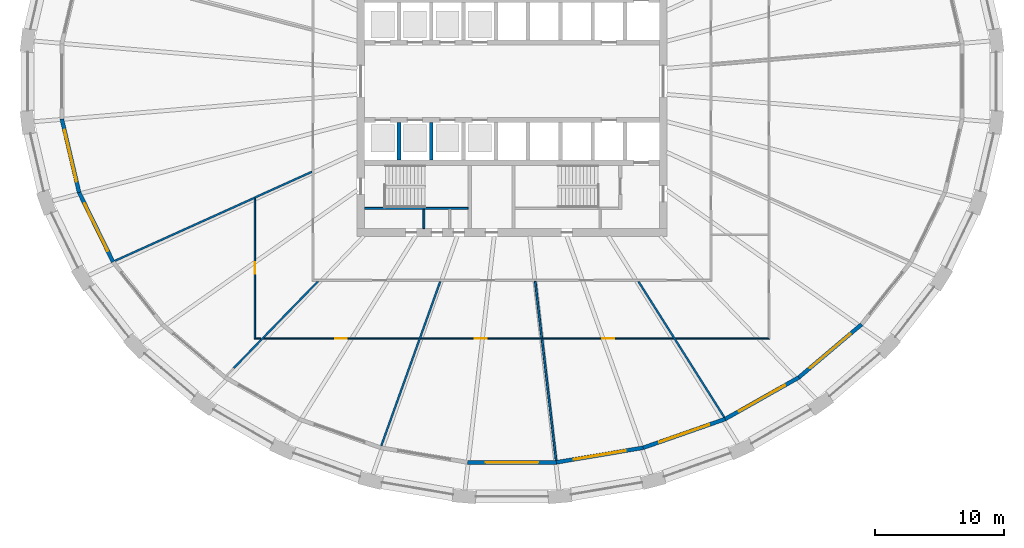
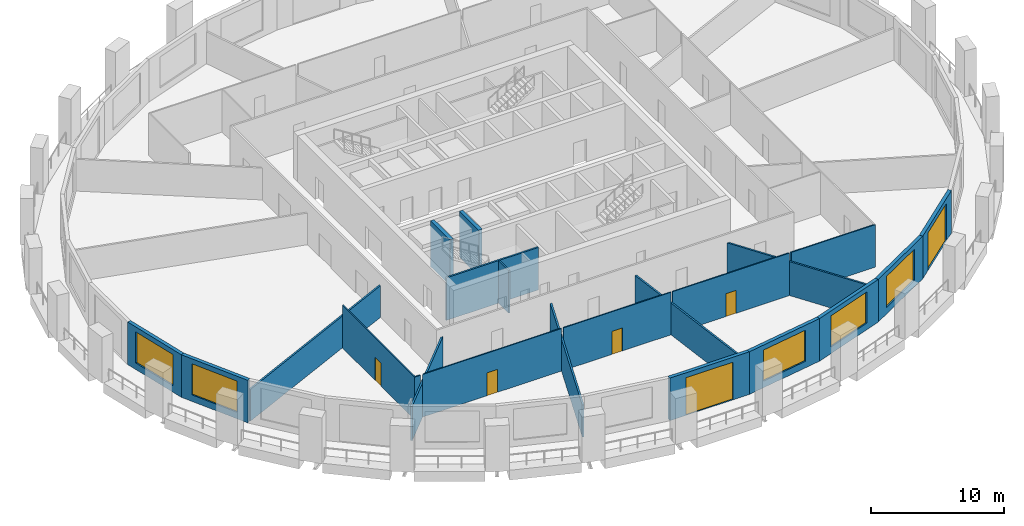
# One storey, part 3 of 11: 24 walls, 6 doors, 5 windows, 11 openings.
"""IFC4 building model written with IfcOpenShell, lengths in metres."""

from ifc_helpers import new_model, si_unit, direction, frame, frame_2d, origin, place, context, subcontext, project, spatial, polyline, rectangle, outline, extrude, material, layer, layer_set, type_object, element, fill, save


model = new_model("IFC4")

# Units and contexts
model_context = context("Model", 3, precision=1e-05, world=origin(), true_north=direction((0.0, 1.0)))
body_context = subcontext(model_context, "Body", "Model", "MODEL_VIEW")
ifc_project = project(units=[si_unit("LENGTHUNIT", "METRE"), si_unit("AREAUNIT", "SQUARE_METRE"), si_unit("VOLUMEUNIT", "CUBIC_METRE"), si_unit("PLANEANGLEUNIT", "RADIAN"), si_unit("MASSUNIT", "GRAM", prefix="KILO")], contexts=[model_context])

# Site, building, storey
site_placement = place(None, origin())
site = spatial("IfcSite", under=ifc_project, at=site_placement, CompositionType="ELEMENT")
building_placement = place(site_placement, origin())
building = spatial("IfcBuilding", under=site, at=building_placement, Name="Halqa Exchange Tower", CompositionType="ELEMENT")
storey_placement = place(building_placement, frame((0.0, 0.0, 40.300048828125)))
storey = spatial("IfcBuildingStorey", under=building, at=storey_placement, Name="L08", CompositionType="ELEMENT", Elevation=40.300048828125)

# Walls
ifc_material_1 = material(Name="Fire-rated gypsum board")
ifc_layer_1 = layer(ifc_material_1, 0.14990234375)
ifc_layer_set_1 = layer_set([ifc_layer_1], Name="Fire-rated gypsum board")
wall_type_1 = type_object("IfcWallType", Name="Fire partition EI 60 150", PredefinedType="PARTITIONING", material=ifc_layer_set_1)
wall_1_placement = place(storey_placement, frame((-30.744384765625, -13.8955078125, 0.0), z_axis=(0.0, 0.0, 1.0), x_axis=(0.91143189519, 0.411450969654, 0.0)))
element("IfcWall", 1, at=wall_1_placement, inside=storey, type_object=wall_type_1, Name="L08-PWL-001", PredefinedType="PARTITIONING", context=body_context, shape_type="SweptSolid", body=[
    extrude(outline(polyline([(0.0205078125, -0.074951171875), (1.9853515625, -0.074951171875), (3.9501953125, -0.074951171875), (5.9150390625, -0.074951171875), (7.8798828125, -0.074951171875), (9.8447265625, -0.074951171875), (11.8095703125, -0.074951171875), (11.810546875, -0.07275390625), (11.815185546875, -0.074951171875), (11.90234375, -0.074951171875), (11.90234375, -0.06591796875), (11.90234375, -0.06591796875), (11.90234375, 0.0615234375), (11.90234375, 0.074951171875), (9.918701171875, 0.074951171875), (7.934814453125, 0.074951171875), (5.951171875, 0.074951171875), (3.967529296875, 0.074951171875), (1.983642578125, 0.074951171875), (0.0, 0.074951171875), (0.0, 0.066162109375), (0.002197265625, -0.00146484375), (0.0205078125, -0.074951171875)])), origin(), (0.0, 0.0, 1.0), 2.909912109375),
])
wall_2_placement = place(storey_placement, frame((-19.89990234375, -8.989990234375, 0.0), z_axis=(0.0, 0.0, 1.0), x_axis=(0.911546381607, 0.411197269178, 0.0)))
element("IfcWall", 2, at=wall_2_placement, inside=storey, type_object=wall_type_1, Name="L08-PWL-005", PredefinedType="PARTITIONING", context=body_context, shape_type="SweptSolid", body=[
    extrude(outline(polyline([(0.020263671875, -0.074951171875), (1.620361328125, -0.074951171875), (3.220458984375, -0.074951171875), (4.820556640625, -0.074951171875), (4.88818359375, 0.074951171875), (3.2587890625, 0.074951171875), (1.62939453125, 0.074951171875), (0.0, 0.074951171875), (0.0, -0.06591796875), (0.020263671875, -0.074951171875)])), origin(), (0.0, 0.0, 1.0), 2.909912109375),
])
wall_3_placement = place(storey_placement, frame((-10.119384765625, -28.209228515625, 0.0), z_axis=(0.0, 0.0, 1.0), x_axis=(0.337949016046, 0.941164418448, 0.0)))
element("IfcWall", 3, at=wall_3_placement, inside=storey, type_object=wall_type_1, Name="L08-PWL-014", PredefinedType="PARTITIONING", context=body_context, shape_type="SweptSolid", body=[
    extrude(outline(polyline([(0.013916015625, -0.074951171875), (1.791748046875, -0.074951171875), (3.569580078125, -0.074951171875), (5.347412109375, -0.074951171875), (7.12548828125, -0.074951171875), (8.9033203125, -0.074951171875), (8.908203125, -0.0732421875), (8.90869140625, -0.074951171875), (10.4580078125, -0.074951171875), (12.007568359375, -0.074951171875), (13.556884765625, -0.074951171875), (13.556884765625, -0.073974609375), (13.554931640625, -0.068603515625), (13.554931640625, -0.068603515625), (13.50341796875, 0.074951171875), (11.919189453125, 0.074951171875), (10.335205078125, 0.074951171875), (8.751220703125, 0.074951171875), (8.7490234375, 0.07421875), (8.74853515625, 0.074951171875), (6.9990234375, 0.074951171875), (5.249267578125, 0.074951171875), (3.49951171875, 0.074951171875), (1.749755859375, 0.074951171875), (0.0, 0.074951171875), (0.0, 0.070556640625), (0.00048828125, -0.00048828125), (0.013916015625, -0.074951171875)])), origin(), (0.0, 0.0, 1.0), 2.909912109375),
])
wall_4_placement = place(storey_placement, frame((1.797607421875, -15.466552734375, 0.0), z_axis=(0.0, 0.0, 1.0), x_axis=(0.114783679138, -0.993390510828, 0.0)))
element("IfcWall", 4, at=wall_4_placement, inside=storey, type_object=wall_type_1, Name="L08-PWL-018", PredefinedType="PARTITIONING", context=body_context, shape_type="SweptSolid", body=[
    extrude(outline(polyline([(0.0, -0.074951171875), (1.468017578125, -0.074951171875), (2.93603515625, -0.074951171875), (4.404052734375, -0.074951171875), (4.404052734375, -0.07470703125), (4.406982421875, -0.074951171875), (4.413330078125, -0.074951171875), (4.413330078125, 0.074951171875), (2.947998046875, 0.074951171875), (1.482666015625, 0.074951171875), (0.01708984375, 0.074951171875), (0.0, -0.073486328125), (0.0, -0.074951171875)])), origin(), (0.0, 0.0, 1.0), 2.909912109375),
])
wall_5_placement = place(storey_placement, frame((2.314208984375, -19.850341796875, 0.0), z_axis=(0.0, 0.0, 1.0), x_axis=(0.115247328534, -0.9933368277, 0.0)))
element("IfcWall", 5, at=wall_5_placement, inside=storey, type_object=wall_type_1, Name="L08-PWL-020", PredefinedType="PARTITIONING", context=body_context, shape_type="SweptSolid", body=[
    extrude(outline(polyline([(0.0888671875, -0.074951171875), (1.979248046875, -0.074951171875), (3.86962890625, -0.074951171875), (5.760009765625, -0.074951171875), (7.650390625, -0.074951171875), (9.540771484375, -0.074951171875), (9.545654296875, -0.033935546875), (9.545654296875, 0.074951171875), (7.658447265625, 0.074951171875), (5.77099609375, 0.074951171875), (3.8837890625, 0.074951171875), (1.996337890625, 0.074951171875), (0.109130859375, 0.074951171875), (0.10888671875, 0.07373046875), (0.098388671875, 0.074951171875), (0.0, 0.074951171875), (0.0, -0.064697265625), (0.0888671875, -0.074951171875)])), origin(), (0.0, 0.0, 1.0), 2.909912109375),
])
wall_6_placement = place(storey_placement, frame((9.752197265625, -15.43505859375, 0.0), z_axis=(0.0, 0.0, 1.0), x_axis=(0.534413972524, -0.845222873549, 0.0)))
element("IfcWall", 6, at=wall_6_placement, inside=storey, type_object=wall_type_1, Name="L08-PWL-023", PredefinedType="PARTITIONING", context=body_context, shape_type="SweptSolid", body=[
    extrude(outline(polyline([(0.0, -0.074951171875), (1.725341796875, -0.074951171875), (3.45068359375, -0.074951171875), (5.176025390625, -0.074951171875), (5.17724609375, -0.07275390625), (5.1806640625, -0.074951171875), (7.00537109375, -0.074951171875), (8.830322265625, -0.074951171875), (10.655029296875, -0.074951171875), (12.479736328125, -0.074951171875), (12.497314453125, 0.001220703125), (12.50048828125, 0.064208984375), (12.50048828125, 0.074951171875), (10.72265625, 0.074951171875), (8.94482421875, 0.074951171875), (7.1669921875, 0.074951171875), (5.38916015625, 0.074951171875), (5.387451171875, 0.072265625), (5.38330078125, 0.074951171875), (3.620361328125, 0.074951171875), (1.857666015625, 0.074951171875), (0.0947265625, 0.074951171875), (0.0, -0.07470703125), (0.0, -0.074951171875)])), origin(), (0.0, 0.0, 1.0), 3.10986328125),
])
wall_7_placement = place(storey_placement, frame((-21.532470703125, -22.18896484375, 0.0), z_axis=(0.0, 0.0, 1.0), x_axis=(0.696649821167, 0.717411337148, 0.0)))
element("IfcWall", 7, at=wall_7_placement, inside=storey, type_object=wall_type_1, Name="L08-PWL-041", PredefinedType="PARTITIONING", context=body_context, shape_type="SweptSolid", body=[
    extrude(outline(polyline([(0.0, -0.074951171875), (1.6640625, -0.074951171875), (3.328369140625, -0.074951171875), (3.330810546875, -0.072509765625), (3.3330078125, -0.074951171875), (4.857421875, -0.074951171875), (6.382080078125, -0.074951171875), (7.906494140625, -0.074951171875), (9.430908203125, -0.074951171875), (9.430908203125, -0.074462890625), (9.338134765625, 0.02099609375), (9.338134765625, 0.02099609375), (9.285888671875, 0.074951171875), (7.727294921875, 0.074951171875), (6.1689453125, 0.074951171875), (4.610595703125, 0.074951171875), (3.052001953125, 0.074951171875), (3.050048828125, 0.072998046875), (3.048095703125, 0.074951171875), (1.524169921875, 0.074951171875), (0.0, 0.074951171875), (0.0, -0.074951171875)])), origin(), (0.0, 0.0, 1.0), 3.14697265625),
])

# Wall, opening, door
ifc_material_2 = material(Name="Gypsum board")
ifc_layer_2 = layer(ifc_material_2, 0.10009765625)
ifc_layer_set_2 = layer_set([ifc_layer_2], Name="Gypsum board")
wall_type_2 = type_object("IfcWallType", Name="Partition 100 gypsum", PredefinedType="PARTITIONING", material=ifc_layer_set_2)
wall_8_placement = place(storey_placement, frame((-19.89990234375, -19.949951171875, 0.0), z_axis=(0.0, 0.0, 1.0), x_axis=(0.0, 1.0, 0.0)))
wall_8 = element("IfcWall", 8, at=wall_8_placement, inside=storey, type_object=wall_type_2, Name="L08-PWL-004", PredefinedType="PARTITIONING", context=body_context, shape_type="SweptSolid", body=[
    extrude(outline(polyline([(10.89990234375, -0.050048828125), (10.89990234375, -0.04931640625), (10.8916015625, -0.03076171875), (10.88330078125, -0.034423828125), (10.84521484375, 0.050048828125), (9.03759765625, 0.050048828125), (7.22998046875, 0.050048828125), (5.422607421875, 0.050048828125), (3.614990234375, 0.050048828125), (1.8076171875, 0.050048828125), (0.0, 0.050048828125), (0.099853515625, -0.0498046875), (0.10009765625, -0.050048828125), (1.900146484375, -0.050048828125), (3.699951171875, -0.050048828125), (5.5, -0.050048828125), (7.300048828125, -0.050048828125), (9.099853515625, -0.050048828125), (10.89990234375, -0.050048828125)])), origin(), (0.0, 0.0, 1.0), 3.89990234375),
])
opening_1_placement = place(wall_8_placement, frame((5.050048828125, 0.0, 0.0)))
opening_1 = element("IfcOpeningElement", 9, at=opening_1_placement, cuts=wall_8, Name="Opening 02-18", PredefinedType="OPENING", context=body_context, shape_type="SweptSolid", body=[
    extrude(rectangle(XDim=0.89990234375, YDim=2.10009765625, at=frame_2d((0.449951171875, 1.050048828125))), frame((0.0, 0.06201171875, 0.0), z_axis=(0.0, -1.0, 0.0), x_axis=(1.0, 0.0, 0.0)), (0.0, 0.0, 1.0), 0.1240234375),
])
ifc_material_3 = material(Name="Timber door leaf", Category="wood")
door_type_1 = type_object("IfcDoorType", Name="Door 900 x 2100", OperationType="SINGLE_SWING_LEFT", PredefinedType="DOOR", material=ifc_material_3)
door_1_placement = place(opening_1_placement, frame((0.89990234375, 0.0, 0.0), z_axis=(0.0, 0.0, 1.0), x_axis=(-1.0, 0.0, 0.0)))
door_1 = element("IfcDoor", 10, at=door_1_placement, inside=storey, type_object=door_type_1, Name="L08-IDR-018", OperationType="SINGLE_SWING_LEFT", OverallHeight=2.10009765625, OverallWidth=0.89990234375, PredefinedType="DOOR", context=body_context, shape_type="SweptSolid", body=[
    extrude(rectangle(XDim=0.89990234375, YDim=2.10009765625, at=frame_2d((0.449951171875, 1.050048828125))), frame((0.0, 0.02490234375, 0.0), z_axis=(0.0, -1.0, 0.0), x_axis=(1.0, 0.0, 0.0)), (0.0, 0.0, 1.0), 0.050048828125),
])
fill(opening_1, door_1)

# Wall
wall_9_placement = place(storey_placement, frame((-19.4599609375, -19.89990234375, 0.0), z_axis=(0.0, 0.0, 1.0), x_axis=(-1.0, 0.0, 0.0)))
element("IfcWall", 11, at=wall_9_placement, inside=storey, type_object=wall_type_2, Name="L08-PWL-008", PredefinedType="PARTITIONING", context=body_context, shape_type="SweptSolid", body=[
    extrude(outline(polyline([(0.0, -0.050048828125), (0.389892578125, -0.050048828125), (0.489990234375, 0.050048828125), (0.0, 0.050048828125), (0.0, -0.050048828125)])), origin(), (0.0, 0.0, 1.0), 3.89990234375),
])

# Wall, opening, door
wall_10_placement = place(storey_placement, frame((-7.197998046875, -19.89990234375, 0.0), z_axis=(0.0, 0.0, 1.0), x_axis=(-1.0, 0.0, 0.0)))
wall_10 = element("IfcWall", 12, at=wall_10_placement, inside=storey, type_object=wall_type_2, Name="L08-PWL-016", PredefinedType="PARTITIONING", context=body_context, shape_type="SweptSolid", body=[
    extrude(outline(polyline([(0.0, -0.050048828125), (1.9931640625, -0.050048828125), (3.986083984375, -0.050048828125), (5.979248046875, -0.050048828125), (7.972412109375, -0.050048828125), (9.96533203125, -0.050048828125), (11.95849609375, -0.050048828125), (12.055419921875, 0.0498046875), (12.055419921875, 0.050048828125), (10.33837890625, 0.050048828125), (8.62109375, 0.050048828125), (6.904052734375, 0.050048828125), (5.186767578125, 0.050048828125), (3.4697265625, 0.050048828125), (1.752685546875, 0.050048828125), (0.035400390625, 0.050048828125), (0.0, -0.048583984375), (0.0, -0.050048828125)])), origin(), (0.0, 0.0, 1.0), 3.89990234375),
])
opening_2_placement = place(wall_10_placement, frame((5.576904296875, 0.0, 0.0)))
opening_2 = element("IfcOpeningElement", 13, at=opening_2_placement, cuts=wall_10, Name="Opening 02-19", PredefinedType="OPENING", context=body_context, shape_type="SweptSolid", body=[
    extrude(rectangle(XDim=0.89990234375, YDim=2.10009765625, at=frame_2d((0.449951171875, 1.050048828125))), frame((0.0, 0.06201171875, 0.0), z_axis=(0.0, -1.0, 0.0), x_axis=(1.0, 0.0, 0.0)), (0.0, 0.0, 1.0), 0.1240234375),
])
door_2_placement = place(opening_2_placement, frame((0.89990234375, 0.0, 0.0), z_axis=(0.0, 0.0, 1.0), x_axis=(-1.0, 0.0, 0.0)))
door_2 = element("IfcDoor", 14, at=door_2_placement, inside=storey, type_object=door_type_1, Name="L08-IDR-019", OperationType="SINGLE_SWING_LEFT", OverallHeight=2.10009765625, OverallWidth=0.89990234375, PredefinedType="DOOR", context=body_context, shape_type="SweptSolid", body=[
    extrude(rectangle(XDim=0.89990234375, YDim=2.10009765625, at=frame_2d((0.449951171875, 1.050048828125))), frame((0.0, 0.02490234375, 0.0), z_axis=(0.0, -1.0, 0.0), x_axis=(1.0, 0.0, 0.0)), (0.0, 0.0, 1.0), 0.050048828125),
])
fill(opening_2, door_2)

wall_11_placement = place(storey_placement, frame((2.25, -19.89990234375, 0.0), z_axis=(0.0, 0.0, 1.0), x_axis=(-1.0, 0.0, 0.0)))
wall_11 = element("IfcWall", 15, at=wall_11_placement, inside=storey, type_object=wall_type_2, Name="L08-PWL-019", PredefinedType="PARTITIONING", context=body_context, shape_type="SweptSolid", body=[
    extrude(outline(polyline([(0.021240234375, -0.050048828125), (1.874755859375, -0.050048828125), (3.72802734375, -0.050048828125), (5.581298828125, -0.050048828125), (7.434814453125, -0.050048828125), (9.2880859375, -0.050048828125), (9.323974609375, 0.050048828125), (9.323974609375, 0.050048828125), (7.459228515625, 0.050048828125), (5.594482421875, 0.050048828125), (3.7294921875, 0.050048828125), (1.86474609375, 0.050048828125), (0.0, 0.050048828125), (0.0, 0.04736328125), (0.01025390625, -0.041015625), (0.0, -0.0419921875), (0.0, -0.042724609375), (0.020263671875, -0.04052734375), (0.021240234375, -0.050048828125)])), origin(), (0.0, 0.0, 1.0), 3.89990234375),
])
opening_3_placement = place(wall_11_placement, frame((4.215087890625, 0.0, 0.0)))
opening_3 = element("IfcOpeningElement", 16, at=opening_3_placement, cuts=wall_11, Name="Opening 02-20", PredefinedType="OPENING", context=body_context, shape_type="SweptSolid", body=[
    extrude(rectangle(XDim=0.89990234375, YDim=2.10009765625, at=frame_2d((0.449951171875, 1.050048828125))), frame((0.0, 0.06201171875, 0.0), z_axis=(0.0, -1.0, 0.0), x_axis=(1.0, 0.0, 0.0)), (0.0, 0.0, 1.0), 0.1240234375),
])
door_3_placement = place(opening_3_placement, frame((0.89990234375, 0.0, 0.0), z_axis=(0.0, 0.0, 1.0), x_axis=(-1.0, 0.0, 0.0)))
door_3 = element("IfcDoor", 17, at=door_3_placement, inside=storey, type_object=door_type_1, Name="L08-IDR-020", OperationType="SINGLE_SWING_RIGHT", OverallHeight=2.10009765625, OverallWidth=0.89990234375, PredefinedType="DOOR", context=body_context, shape_type="SweptSolid", body=[
    extrude(rectangle(XDim=0.89990234375, YDim=2.10009765625, at=frame_2d((0.449951171875, 1.050048828125))), frame((0.0, 0.02490234375, 0.0), z_axis=(0.0, -1.0, 0.0), x_axis=(1.0, 0.0, 0.0)), (0.0, 0.0, 1.0), 0.050048828125),
])
fill(opening_3, door_3)

wall_12_placement = place(storey_placement, frame((12.51806640625, -19.89990234375, 0.0), z_axis=(0.0, 0.0, 1.0), x_axis=(-1.0, 0.0, 0.0)))
wall_12 = element("IfcWall", 18, at=wall_12_placement, inside=storey, type_object=wall_type_2, Name="L08-PWL-024", PredefinedType="PARTITIONING", context=body_context, shape_type="SweptSolid", body=[
    extrude(outline(polyline([(10.128173828125, -0.050048828125), (10.128173828125, -0.0478515625), (10.11669921875, 0.050048828125), (8.4306640625, 0.050048828125), (6.74462890625, 0.050048828125), (5.058349609375, 0.050048828125), (3.372314453125, 0.050048828125), (1.68603515625, 0.050048828125), (0.0, 0.050048828125), (0.0, 0.050048828125), (0.063232421875, -0.050048828125), (1.74072265625, -0.050048828125), (3.418212890625, -0.050048828125), (5.095703125, -0.050048828125), (6.773193359375, -0.050048828125), (8.45068359375, -0.050048828125), (10.128173828125, -0.050048828125)])), origin(), (0.0, 0.0, 1.0), 3.89990234375),
])
opening_4_placement = place(wall_12_placement, frame((4.617919921875, 0.0, 0.0)))
opening_4 = element("IfcOpeningElement", 19, at=opening_4_placement, cuts=wall_12, Name="Opening 02-21", PredefinedType="OPENING", context=body_context, shape_type="SweptSolid", body=[
    extrude(rectangle(XDim=0.89990234375, YDim=2.10009765625, at=frame_2d((0.449951171875, 1.050048828125))), frame((0.0, 0.06201171875, 0.0), z_axis=(0.0, -1.0, 0.0), x_axis=(1.0, 0.0, 0.0)), (0.0, 0.0, 1.0), 0.1240234375),
])
door_4_placement = place(opening_4_placement, frame((0.89990234375, 0.0, 0.0), z_axis=(0.0, 0.0, 1.0), x_axis=(-1.0, 0.0, 0.0)))
door_4 = element("IfcDoor", 20, at=door_4_placement, inside=storey, type_object=door_type_1, Name="L08-IDR-021", OperationType="SINGLE_SWING_RIGHT", OverallHeight=2.10009765625, OverallWidth=0.89990234375, PredefinedType="DOOR", context=body_context, shape_type="SweptSolid", body=[
    extrude(rectangle(XDim=0.89990234375, YDim=2.10009765625, at=frame_2d((0.449951171875, 1.050048828125))), frame((0.0, 0.02490234375, 0.0), z_axis=(0.0, -1.0, 0.0), x_axis=(1.0, 0.0, 0.0)), (0.0, 0.0, 1.0), 0.050048828125),
])
fill(opening_4, door_4)

# Walls
wall_13_placement = place(storey_placement, frame((19.949951171875, -19.89990234375, 0.0), z_axis=(0.0, 0.0, 1.0), x_axis=(-1.0, 0.0, 0.0)))
element("IfcWall", 21, at=wall_13_placement, inside=storey, type_object=wall_type_2, Name="L08-PWL-031", PredefinedType="PARTITIONING", context=body_context, shape_type="SweptSolid", body=[
    extrude(outline(polyline([(7.3173828125, -0.050048828125), (7.3173828125, -0.049560546875), (7.25439453125, 0.050048828125), (5.440673828125, 0.050048828125), (3.627197265625, 0.050048828125), (1.8134765625, 0.050048828125), (0.0, 0.050048828125), (0.099853515625, -0.0498046875), (0.10009765625, -0.050048828125), (1.904296875, -0.050048828125), (3.708740234375, -0.050048828125), (5.51318359375, -0.050048828125), (7.3173828125, -0.050048828125)])), origin(), (0.0, 0.0, 1.0), 3.89990234375),
])
ifc_layer_3 = layer(ifc_material_2, 0.14990234375)
ifc_layer_set_3 = layer_set([ifc_layer_3], Name="Gypsum board")
wall_type_3 = type_object("IfcWallType", Name="Penthouse riser wall 150 gypsum", PredefinedType="PARTITIONING", material=ifc_layer_set_3)
wall_14_placement = place(storey_placement, frame((-6.824951171875, -11.39990234375, 0.0), z_axis=(0.0, 0.0, 1.0), x_axis=(0.0, 1.0, 0.0)))
element("IfcWall", 22, at=wall_14_placement, inside=storey, type_object=wall_type_3, Name="Partition W6.825 S", PredefinedType="PARTITIONING", context=body_context, shape_type="SweptSolid", body=[
    extrude(rectangle(XDim=1.5, YDim=0.14990234375, at=frame_2d((0.75, 0.0))), origin(), (0.0, 0.0, 1.0), 3.89990234375),
])
ifc_material_4 = material(Name="Concrete C60/75", Category="concrete")
ifc_layer_4 = layer(ifc_material_4, 0.300048828125)
ifc_layer_set_4 = layer_set([ifc_layer_4], Name="Concrete C60/75")
wall_type_4 = type_object("IfcWallType", Name="RC core wall 300", PredefinedType="SHEAR", material=ifc_layer_set_4)
for number, where, z_axis, x_axis, name in (
    (23, (-8.75, -6.10009765625, 0.0), (0.0, 0.0, 1.0), (0.0, 1.0, 0.0), "Shaft divider S1"),
    (24, (-6.25, -6.10009765625, 0.0), (0.0, 0.0, 1.0), (0.0, 1.0, 0.0), "Shaft divider S2"),
):
    element("IfcWall", number, at=place(storey_placement, frame(where, z_axis=z_axis, x_axis=x_axis)), inside=storey, type_object=wall_type_4, Name=name, PredefinedType="SHEAR", context=body_context, shape_type="SweptSolid", body=[
        extrude(rectangle(XDim=2.900146484375, YDim=0.300048828125, at=frame_2d((1.4501953125, 0.0))), origin(), (0.0, 0.0, 1.0), 4.199951171875),
    ])
ifc_material_5 = material(Name="Concrete C30/37", Category="concrete")
ifc_layer_5 = layer(ifc_material_5, 0.14990234375)
ifc_layer_set_5 = layer_set([ifc_layer_5], Name="Concrete C30/37")
wall_type_5 = type_object("IfcWallType", Name="RC stair wall 150 C30/37", PredefinedType="SHEAR", material=ifc_layer_set_5)
wall_15_placement = place(storey_placement, frame((-11.39990234375, -9.824951171875, 0.0), z_axis=(0.0, 0.0, 1.0), x_axis=(1.0, 0.0, 0.0)))
element("IfcWall", 25, at=wall_15_placement, inside=storey, type_object=wall_type_5, Name="Stair ST1 north wall S", PredefinedType="SHEAR", context=body_context, shape_type="SweptSolid", body=[
    extrude(rectangle(XDim=8.0, YDim=0.14990234375, at=frame_2d((4.0, 0.0))), origin(), (0.0, 0.0, 1.0), 3.89990234375),
])

# Wall, opening, window
ifc_material_6 = material(Name="Limestone cladding", Category="masonry")
ifc_layer_6 = layer(ifc_material_6, 0.0400390625)
ifc_material_7 = material(Name="Ventilated cavity")
ifc_layer_7 = layer(ifc_material_7, 0.030029296875, ventilated=True)
ifc_material_8 = material(Name="Mineral wool insulation")
ifc_layer_8 = layer(ifc_material_8, 0.10009765625)
ifc_layer_9 = layer(ifc_material_5, 0.10009765625)
ifc_material_9 = material(Name="Internal plaster")
ifc_layer_10 = layer(ifc_material_9, 0.030029296875)
ifc_layer_set_6 = layer_set([ifc_layer_6, ifc_layer_7, ifc_layer_8, ifc_layer_9, ifc_layer_10], Name="Stone-faced insulated wall 300")
wall_type_6 = type_object("IfcWallType", Name="Stone-faced insulated wall 300", PredefinedType="STANDARD", material=ifc_layer_set_6)
wall_16_placement = place(storey_placement, frame((-34.840087890625, -2.90673828125, 0.0), z_axis=(0.0, 0.0, 1.0), x_axis=(0.228976600496, -0.97343192696, 0.0)))
wall_16 = element("IfcWall", 26, at=wall_16_placement, inside=storey, type_object=wall_type_6, Name="Glass-line wall 17", PredefinedType="STANDARD", context=body_context, shape_type="SweptSolid", body=[
    extrude(outline(polyline([(-0.017333984375, -0.14990234375), (5.87353515625, -0.14990234375), (5.83984375, 0.14990234375), (0.017333984375, 0.14990234375), (-0.017333984375, -0.14990234375)])), origin(), (0.0, 0.0, 1.0), 3.89990234375),
])
opening_5_placement = place(wall_16_placement, frame((0.87841796875, 0.0, 0.60009765625)))
opening_5 = element("IfcOpeningElement", 27, at=opening_5_placement, cuts=wall_16, Name="Opening W-F1-17", PredefinedType="OPENING", context=body_context, shape_type="SweptSolid", body=[
    extrude(rectangle(XDim=4.10009765625, YDim=2.85009765625, at=frame_2d((2.050048828125, 1.425048828125))), frame((0.0, 0.162109375, 0.0), z_axis=(0.0, -1.0, 0.0), x_axis=(1.0, 0.0, 0.0)), (0.0, 0.0, 1.0), 0.323974609375),
])
ifc_material_10 = material(Name="Clear low-emissivity glass in aluminium frame", Category="aluminium")
window_type = type_object("IfcWindowType", Name="Fixed clear glazed window 4100 x 2850", PartitioningType="TRIPLE_PANEL_VERTICAL", PredefinedType="WINDOW", material=ifc_material_10)
window_1_placement = place(opening_5_placement, origin())
window_1 = element("IfcWindow", 28, at=window_1_placement, inside=storey, type_object=window_type, Name="Window 1", OverallHeight=2.85009765625, OverallWidth=4.10009765625, PartitioningType="TRIPLE_PANEL_VERTICAL", PredefinedType="WINDOW", context=body_context, shape_type="SweptSolid", body=[
    extrude(rectangle(XDim=4.10009765625, YDim=2.85009765625, at=frame_2d((2.050048828125, 1.425048828125))), frame((0.0, 0.030029296875, 0.0), z_axis=(0.0, -1.0, 0.0), x_axis=(1.0, 0.0, 0.0)), (0.0, 0.0, 1.0), 0.06005859375),
])
fill(opening_5, window_1)

wall_17_placement = place(storey_placement, frame((-33.4990234375, -8.60791015625, 0.0), z_axis=(0.0, 0.0, 1.0), x_axis=(0.439896354052, -0.898048549741, 0.0)))
wall_17 = element("IfcWall", 29, at=wall_17_placement, inside=storey, type_object=wall_type_6, Name="Glass-line wall 18", PredefinedType="STANDARD", context=body_context, shape_type="SweptSolid", body=[
    extrude(outline(polyline([(-0.016845703125, -0.14990234375), (5.993896484375, -0.14990234375), (5.961669921875, 0.14990234375), (0.016845703125, 0.14990234375), (-0.016845703125, -0.14990234375)])), origin(), (0.0, 0.0, 1.0), 3.89990234375),
])
opening_6_placement = place(wall_17_placement, frame((0.93896484375, 0.0, 0.60009765625)))
opening_6 = element("IfcOpeningElement", 30, at=opening_6_placement, cuts=wall_17, Name="Opening W-F1-18", PredefinedType="OPENING", context=body_context, shape_type="SweptSolid", body=[
    extrude(rectangle(XDim=4.10009765625, YDim=2.85009765625, at=frame_2d((2.050048828125, 1.425048828125))), frame((0.0, 0.162109375, 0.0), z_axis=(0.0, -1.0, 0.0), x_axis=(1.0, 0.0, 0.0)), (0.0, 0.0, 1.0), 0.323974609375),
])
window_2_placement = place(opening_6_placement, origin())
window_2 = element("IfcWindow", 31, at=window_2_placement, inside=storey, type_object=window_type, Name="Window 1", OverallHeight=2.85009765625, OverallWidth=4.10009765625, PartitioningType="TRIPLE_PANEL_VERTICAL", PredefinedType="WINDOW", context=body_context, shape_type="SweptSolid", body=[
    extrude(rectangle(XDim=4.10009765625, YDim=2.85009765625, at=frame_2d((2.050048828125, 1.425048828125))), frame((0.0, 0.030029296875, 0.0), z_axis=(0.0, -1.0, 0.0), x_axis=(1.0, 0.0, 0.0)), (0.0, 0.0, 1.0), 0.06005859375),
])
fill(opening_6, window_2)

# Wall, opening, door
wall_18_placement = place(storey_placement, frame((-3.42919921875, -29.486328125, 0.0), z_axis=(0.0, 0.0, 1.0), x_axis=(1.0, 0.0, 0.0)))
wall_18 = element("IfcWall", 32, at=wall_18_placement, inside=storey, type_object=wall_type_6, Name="Glass-line wall 24", PredefinedType="STANDARD", context=body_context, shape_type="SweptSolid", body=[
    extrude(outline(polyline([(-0.012451171875, -0.14990234375), (6.870849609375, -0.14990234375), (6.845947265625, 0.14990234375), (0.012451171875, 0.14990234375), (-0.012451171875, -0.14990234375)])), origin(), (0.0, 0.0, 1.0), 3.89990234375),
])
opening_7_placement = place(wall_18_placement, frame((1.379150390625, 0.0, 0.0)))
opening_7 = element("IfcOpeningElement", 33, at=opening_7_placement, cuts=wall_18, Name="Opening LG-F1-06", PredefinedType="OPENING", context=body_context, shape_type="SweptSolid", body=[
    extrude(rectangle(XDim=4.10009765625, YDim=3.449951171875, at=frame_2d((2.050048828125, 1.72509765625))), frame((0.0, 0.162109375, 0.0), z_axis=(0.0, -1.0, 0.0), x_axis=(1.0, 0.0, 0.0)), (0.0, 0.0, 1.0), 0.323974609375),
])
door_type_2 = type_object("IfcDoorType", Name="Glazed sliding loggia door 4100 x 3450", OperationType="DOUBLE_DOOR_SLIDING", PredefinedType="DOOR", material=ifc_material_10)
door_5_placement = place(opening_7_placement, origin())
door_5 = element("IfcDoor", 34, at=door_5_placement, inside=storey, type_object=door_type_2, Name="Loggia door 6", OperationType="DOUBLE_DOOR_SLIDING", OverallHeight=3.449951171875, OverallWidth=4.10009765625, PredefinedType="DOOR", context=body_context, shape_type="SweptSolid", body=[
    extrude(rectangle(XDim=4.10009765625, YDim=3.449951171875, at=frame_2d((2.050048828125, 1.72509765625))), frame((0.0, 0.02490234375, 0.0), z_axis=(0.0, -1.0, 0.0), x_axis=(1.0, 0.0, 0.0)), (0.0, 0.0, 1.0), 0.050048828125),
])
fill(opening_7, door_5)

# Wall, opening, window
wall_19_placement = place(storey_placement, frame((3.42919921875, -29.486328125, 0.0), z_axis=(0.0, 0.0, 1.0), x_axis=(0.986145179906, 0.165884550659, 0.0)))
wall_19 = element("IfcWall", 35, at=wall_19_placement, inside=storey, type_object=wall_type_6, Name="Glass-line wall 25", PredefinedType="STANDARD", context=body_context, shape_type="SweptSolid", body=[
    extrude(outline(polyline([(-0.012451171875, -0.14990234375), (6.834228515625, -0.14990234375), (6.808837890625, 0.14990234375), (0.012451171875, 0.14990234375), (-0.012451171875, -0.14990234375)])), origin(), (0.0, 0.0, 1.0), 3.89990234375),
])
opening_8_placement = place(wall_19_placement, frame((1.36083984375, 0.0, 0.60009765625)))
opening_8 = element("IfcOpeningElement", 36, at=opening_8_placement, cuts=wall_19, Name="Opening W-F1-25", PredefinedType="OPENING", context=body_context, shape_type="SweptSolid", body=[
    extrude(rectangle(XDim=4.10009765625, YDim=2.85009765625, at=frame_2d((2.050048828125, 1.425048828125))), frame((0.0, 0.162109375, 0.0), z_axis=(0.0, -1.0, 0.0), x_axis=(1.0, 0.0, 0.0)), (0.0, 0.0, 1.0), 0.323974609375),
])
window_3_placement = place(opening_8_placement, origin())
window_3 = element("IfcWindow", 37, at=window_3_placement, inside=storey, type_object=window_type, Name="Window 1", OverallHeight=2.85009765625, OverallWidth=4.10009765625, PartitioningType="TRIPLE_PANEL_VERTICAL", PredefinedType="WINDOW", context=body_context, shape_type="SweptSolid", body=[
    extrude(rectangle(XDim=4.10009765625, YDim=2.85009765625, at=frame_2d((2.050048828125, 1.425048828125))), frame((0.0, 0.030029296875, 0.0), z_axis=(0.0, -1.0, 0.0), x_axis=(1.0, 0.0, 0.0)), (0.0, 0.0, 1.0), 0.06005859375),
])
fill(opening_8, window_3)

wall_20_placement = place(storey_placement, frame((10.15625, -28.354736328125, 0.0), z_axis=(0.0, 0.0, 1.0), x_axis=(0.943778979427, 0.330577128657, 0.0)))
wall_20 = element("IfcWall", 38, at=wall_20_placement, inside=storey, type_object=wall_type_6, Name="Glass-line wall 26", PredefinedType="STANDARD", context=body_context, shape_type="SweptSolid", body=[
    extrude(outline(polyline([(-0.0126953125, -0.14990234375), (6.728759765625, -0.14990234375), (6.701904296875, 0.14990234375), (0.0126953125, 0.14990234375), (-0.0126953125, -0.14990234375)])), origin(), (0.0, 0.0, 1.0), 3.89990234375),
])
opening_9_placement = place(wall_20_placement, frame((1.3076171875, 0.0, 0.60009765625)))
opening_9 = element("IfcOpeningElement", 39, at=opening_9_placement, cuts=wall_20, Name="Opening W-F1-26", PredefinedType="OPENING", context=body_context, shape_type="SweptSolid", body=[
    extrude(rectangle(XDim=4.10009765625, YDim=2.85009765625, at=frame_2d((2.050048828125, 1.425048828125))), frame((0.0, 0.162109375, 0.0), z_axis=(0.0, -1.0, 0.0), x_axis=(1.0, 0.0, 0.0)), (0.0, 0.0, 1.0), 0.323974609375),
])
window_4_placement = place(opening_9_placement, origin())
window_4 = element("IfcWindow", 40, at=window_4_placement, inside=storey, type_object=window_type, Name="Window 1", OverallHeight=2.85009765625, OverallWidth=4.10009765625, PartitioningType="TRIPLE_PANEL_VERTICAL", PredefinedType="WINDOW", context=body_context, shape_type="SweptSolid", body=[
    extrude(rectangle(XDim=4.10009765625, YDim=2.85009765625, at=frame_2d((2.050048828125, 1.425048828125))), frame((0.0, 0.030029296875, 0.0), z_axis=(0.0, -1.0, 0.0), x_axis=(1.0, 0.0, 0.0)), (0.0, 0.0, 1.0), 0.06005859375),
])
fill(opening_9, window_4)

wall_21_placement = place(storey_placement, frame((16.494140625, -26.134765625, 0.0), z_axis=(0.0, 0.0, 1.0), x_axis=(0.87061279013, 0.491968870623, 0.0)))
wall_21 = element("IfcWall", 41, at=wall_21_placement, inside=storey, type_object=wall_type_6, Name="Glass-line wall 27", PredefinedType="STANDARD", context=body_context, shape_type="SweptSolid", body=[
    extrude(outline(polyline([(-0.013427734375, -0.14990234375), (6.567626953125, -0.14990234375), (6.539306640625, 0.14990234375), (0.013427734375, 0.14990234375), (-0.013427734375, -0.14990234375)])), origin(), (0.0, 0.0, 1.0), 3.89990234375),
])
opening_10_placement = place(wall_21_placement, frame((1.226806640625, 0.0, 0.60009765625)))
opening_10 = element("IfcOpeningElement", 42, at=opening_10_placement, cuts=wall_21, Name="Opening W-F1-27", PredefinedType="OPENING", context=body_context, shape_type="SweptSolid", body=[
    extrude(rectangle(XDim=4.10009765625, YDim=2.85009765625, at=frame_2d((2.050048828125, 1.425048828125))), frame((0.0, 0.162109375, 0.0), z_axis=(0.0, -1.0, 0.0), x_axis=(1.0, 0.0, 0.0)), (0.0, 0.0, 1.0), 0.323974609375),
])
window_5_placement = place(opening_10_placement, origin())
window_5 = element("IfcWindow", 43, at=window_5_placement, inside=storey, type_object=window_type, Name="Window 1", OverallHeight=2.85009765625, OverallWidth=4.10009765625, PartitioningType="TRIPLE_PANEL_VERTICAL", PredefinedType="WINDOW", context=body_context, shape_type="SweptSolid", body=[
    extrude(rectangle(XDim=4.10009765625, YDim=2.85009765625, at=frame_2d((2.050048828125, 1.425048828125))), frame((0.0, 0.030029296875, 0.0), z_axis=(0.0, -1.0, 0.0), x_axis=(1.0, 0.0, 0.0)), (0.0, 0.0, 1.0), 0.06005859375),
])
fill(opening_10, window_5)

# Wall, opening, door
wall_22_placement = place(storey_placement, frame((22.19970703125, -22.91064453125, 0.0), z_axis=(0.0, 0.0, 1.0), x_axis=(0.763577077796, 0.645716691951, 0.0)))
wall_22 = element("IfcWall", 44, at=wall_22_placement, inside=storey, type_object=wall_type_6, Name="Glass-line wall 28", PredefinedType="STANDARD", context=body_context, shape_type="SweptSolid", body=[
    extrude(outline(polyline([(-0.01416015625, -0.14990234375), (6.372314453125, -0.14990234375), (6.342041015625, 0.14990234375), (0.01416015625, 0.14990234375), (-0.01416015625, -0.14990234375)])), origin(), (0.0, 0.0, 1.0), 3.89990234375),
])
opening_11_placement = place(wall_22_placement, frame((1.128662109375, 0.0, 0.0)))
opening_11 = element("IfcOpeningElement", 45, at=opening_11_placement, cuts=wall_22, Name="Opening LG-F1-07", PredefinedType="OPENING", context=body_context, shape_type="SweptSolid", body=[
    extrude(rectangle(XDim=4.10009765625, YDim=3.449951171875, at=frame_2d((2.050048828125, 1.72509765625))), frame((0.0, 0.162109375, 0.0), z_axis=(0.0, -1.0, 0.0), x_axis=(1.0, 0.0, 0.0)), (0.0, 0.0, 1.0), 0.323974609375),
])
door_6_placement = place(opening_11_placement, origin())
door_6 = element("IfcDoor", 46, at=door_6_placement, inside=storey, type_object=door_type_2, Name="Loggia door 7", OperationType="DOUBLE_DOOR_SLIDING", OverallHeight=3.449951171875, OverallWidth=4.10009765625, PredefinedType="DOOR", context=body_context, shape_type="SweptSolid", body=[
    extrude(rectangle(XDim=4.10009765625, YDim=3.449951171875, at=frame_2d((2.050048828125, 1.72509765625))), frame((0.0, 0.02490234375, 0.0), z_axis=(0.0, -1.0, 0.0), x_axis=(1.0, 0.0, 0.0)), (0.0, 0.0, 1.0), 0.050048828125),
])
fill(opening_11, door_6)

save(model, "model.ifc")
